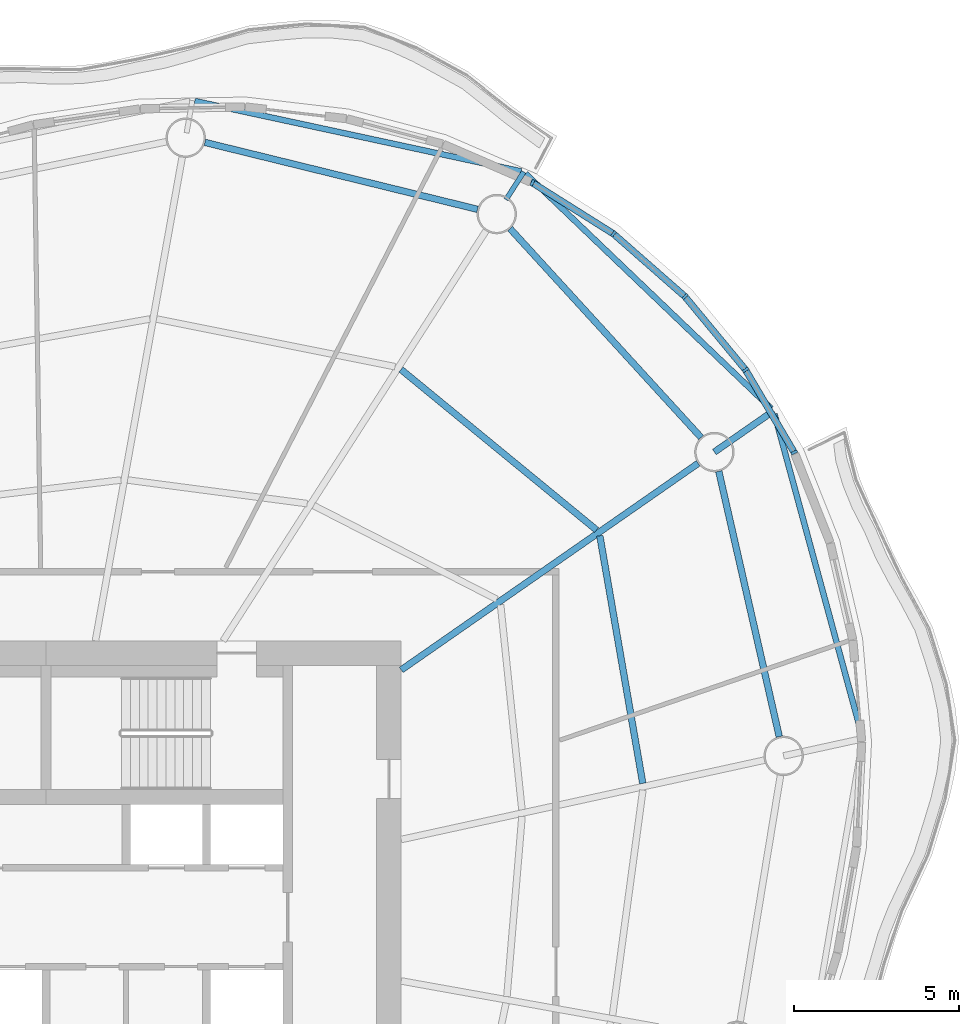
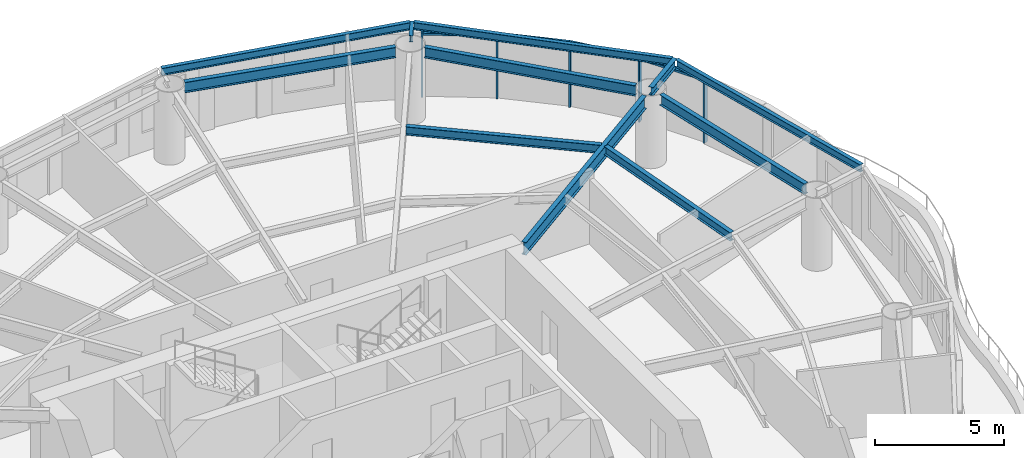
# One storey, part 6 of 14: 11 beams, 9 members, 4 elements without a shape of their own.
"""IFC4 building model written with IfcOpenShell, lengths in metres."""

from ifc_helpers import new_model, si_unit, direction, frame, origin, origin_2d, place, context, subcontext, project, spatial, rectangle, i_section, extrude, material, material_profile, profile_set, type_object, element, aggregate, save


model = new_model("IFC4")

# Units and contexts
model_context = context("Model", 3, precision=1e-05, world=origin(), true_north=direction((0.0, 1.0)))
body_context = subcontext(model_context, "Body", "Model", "MODEL_VIEW")
ifc_project = project(units=[si_unit("LENGTHUNIT", "METRE"), si_unit("AREAUNIT", "SQUARE_METRE"), si_unit("VOLUMEUNIT", "CUBIC_METRE"), si_unit("PLANEANGLEUNIT", "RADIAN"), si_unit("MASSUNIT", "GRAM", prefix="KILO")], contexts=[model_context])

# Site, building, storey
site_placement = place(None, origin())
site = spatial("IfcSite", under=ifc_project, at=site_placement, CompositionType="ELEMENT")
building_placement = place(site_placement, origin())
building = spatial("IfcBuilding", under=site, at=building_placement, Name="Vermilion Reach Broadcast Tower", CompositionType="ELEMENT")
storey_placement = place(building_placement, frame((0.0, 0.0, 210.10009765625)))
storey = spatial("IfcBuildingStorey", under=building, at=storey_placement, Name="L51", CompositionType="ELEMENT", Elevation=210.10009765625)

# Beams
ifc_material_1 = material(Name="Steel S355J2", Category="steel")
ifc_material_profile_1 = material_profile(ifc_material_1, i_section(OverallWidth=0.175048828125, OverallDepth=0.35009765625, WebThickness=0.007080078125, FlangeThickness=0.010986328125, at=origin_2d()), Name="S355J2 HN 350x175x7x11")
ifc_profile_set_1 = profile_set([ifc_material_profile_1], Name="Steel S355J2")
beam_type_1 = type_object("IfcBeamType", Name="EB4 HN 350x175x7x11", PredefinedType="BEAM", material=ifc_profile_set_1)
beam_1_placement = place(storey_placement, frame((8.446533203125, 22.667724609375, 3.27490234375), z_axis=(-0.977562731695, 0.210644500522, 0.0), x_axis=(-0.210644500522, -0.977562731695, 0.0)))
element("IfcBeam", 1, at=beam_1_placement, inside=storey, type_object=beam_type_1, Name="Edge beam EB4-01", PredefinedType="BEAM", context=body_context, shape_type="SweptSolid", body=[
    extrude(i_section(OverallWidth=0.175048828125, OverallDepth=0.35009765625, WebThickness=0.007080078125, FlangeThickness=0.010986328125, at=origin_2d()), origin(), (0.0, 0.0, 1.0), 10.1484375),
])
beam_2_placement = place(storey_placement, frame((18.8037109375, 5.524169921875, 3.27490234375), z_axis=(-0.262637589383, 0.964894552085, 0.0), x_axis=(-0.964894552085, -0.262637589383, 0.0)))
element("IfcBeam", 2, at=beam_2_placement, inside=storey, type_object=beam_type_1, Name="Edge beam EB4-15", PredefinedType="BEAM", context=body_context, shape_type="SweptSolid", body=[
    extrude(i_section(OverallWidth=0.175048828125, OverallDepth=0.35009765625, WebThickness=0.007080078125, FlangeThickness=0.010986328125, at=origin_2d()), origin(), (0.0, 0.0, 1.0), 10.118408203125),
])
beam_3_placement = place(storey_placement, frame((16.04443359375, 15.460205078125, 3.27490234375), z_axis=(-0.722744526792, 0.69111529356, 0.0), x_axis=(-0.69111529356, -0.722744526792, 0.0)))
element("IfcBeam", 3, at=beam_3_placement, inside=storey, type_object=beam_type_1, Name="Edge beam EB4-16", PredefinedType="BEAM", context=body_context, shape_type="SweptSolid", body=[
    extrude(i_section(OverallWidth=0.175048828125, OverallDepth=0.35009765625, WebThickness=0.007080078125, FlangeThickness=0.010986328125, at=origin_2d()), origin(), (0.0, 0.0, 1.0), 10.327880859375),
])
ifc_material_2 = material(Name="Steel S355J2", Category="steel")
ifc_material_profile_2 = material_profile(ifc_material_2, i_section(OverallWidth=0.199951171875, OverallDepth=0.60009765625, WebThickness=0.010986328125, FlangeThickness=0.01708984375, at=origin_2d()), Name="S355J2 HN 600x200x11x17")
ifc_profile_set_2 = profile_set([ifc_material_profile_2], Name="Steel S355J2")
beam_type_2 = type_object("IfcBeamType", Name="G4 HN 600x200x11x17", PredefinedType="BEAM", material=ifc_profile_set_2)
beam_4_placement = place(storey_placement, frame((4.800048828125, 7.5146484375, 3.14990234375), z_axis=(0.820848627818, 0.571145804684, 0.0), x_axis=(-0.571145804684, 0.820848627818, 0.0)))
element("IfcBeam", 4, at=beam_4_placement, inside=storey, type_object=beam_type_2, Name="Girder G4-16", PredefinedType="BEAM", context=body_context, shape_type="SweptSolid", body=[
    extrude(i_section(OverallWidth=0.199951171875, OverallDepth=0.60009765625, WebThickness=0.010986328125, FlangeThickness=0.01708984375, at=origin_2d()), origin(), (0.0, 0.0, 1.0), 10.99560546875),
])
ifc_material_3 = material(Name="Steel S355J2", Category="steel")
ifc_material_profile_3 = material_profile(ifc_material_3, i_section(OverallWidth=0.199951171875, OverallDepth=0.39990234375, WebThickness=0.008056640625, FlangeThickness=0.012939453125, at=origin_2d()), Name="S355J2 HN 400x200x8x13")
ifc_profile_set_3 = profile_set([ifc_material_profile_3], Name="Steel S355J2")
beam_type_3 = type_object("IfcBeamType", Name="GC4 HN 400x200x8x13", PredefinedType="BEAM", material=ifc_profile_set_3)
beam_5_placement = place(storey_placement, frame((14.318115234375, 14.13720703125, 3.25), z_axis=(0.820855276259, 0.571136249452, 0.0), x_axis=(-0.571136249452, 0.820855276259, 0.0)))
element("IfcBeam", 5, at=beam_5_placement, inside=storey, type_object=beam_type_3, Name="Cantilever girder GC4-16", PredefinedType="BEAM", context=body_context, shape_type="SweptSolid", body=[
    extrude(i_section(OverallWidth=0.199951171875, OverallDepth=0.39990234375, WebThickness=0.008056640625, FlangeThickness=0.012939453125, at=origin_2d()), origin(), (0.0, 0.0, 1.0), 2.19287109375),
])
ifc_material_4 = material(Name="Steel S355J2", Category="steel")
ifc_material_profile_4 = material_profile(ifc_material_4, i_section(OverallWidth=0.14990234375, OverallDepth=0.300048828125, WebThickness=0.006591796875, FlangeThickness=0.009033203125, at=origin_2d()), Name="S355J2 HN 300x150x6.5x9")
ifc_profile_set_4 = profile_set([ifc_material_profile_4], Name="Steel S355J2")
beam_type_4 = type_object("IfcBeamType", Name="GS4 HN 300x150x6.5x9", PredefinedType="BEAM", material=ifc_profile_set_4)
beam_6_placement = place(storey_placement, frame((7.985107421875, 21.80908203125, 3.2998046875), z_axis=(0.539794777091, 0.841796649213, 0.0), x_axis=(-0.841796649213, 0.539794777091, 0.0)))
element("IfcBeam", 6, at=beam_6_placement, inside=storey, type_object=beam_type_4, Name="Cantilever stub GS4-01", PredefinedType="BEAM", context=body_context, shape_type="SweptSolid", body=[
    extrude(i_section(OverallWidth=0.14990234375, OverallDepth=0.300048828125, WebThickness=0.006591796875, FlangeThickness=0.009033203125, at=origin_2d()), origin(), (0.0, 0.0, 1.0), 1.0),
])
ifc_material_5 = material(Name="Steel S355J2", Category="steel")
ifc_material_profile_5 = material_profile(ifc_material_5, i_section(OverallWidth=0.199951171875, OverallDepth=0.5, WebThickness=0.010009765625, FlangeThickness=0.01611328125, at=origin_2d()), Name="S355J2 HN 500x200x10x16")
ifc_profile_set_5 = profile_set([ifc_material_profile_5], Name="Steel S355J2")
beam_type_5 = type_object("IfcBeamType", Name="RB4 HN 500x200x10x16", PredefinedType="BEAM", material=ifc_profile_set_5)
beam_7_placement = place(storey_placement, frame((7.120849609375, 21.51318359375, 3.199951171875), z_axis=(-0.971158622271, 0.238434331398, 0.0), x_axis=(-0.238434331398, -0.971158622271, 0.0)))
element("IfcBeam", 7, at=beam_7_placement, inside=storey, type_object=beam_type_5, Name="Ring beam RB4-01", PredefinedType="BEAM", context=body_context, shape_type="SweptSolid", body=[
    extrude(i_section(OverallWidth=0.199951171875, OverallDepth=0.5, WebThickness=0.010009765625, FlangeThickness=0.01611328125, at=origin_2d()), origin(), (0.0, 0.0, 1.0), 8.534423828125),
])
beam_8_placement = place(storey_placement, frame((16.290283203125, 5.486572265625, 3.199951171875), z_axis=(-0.222283068275, 0.974982172944, 0.0), x_axis=(-0.974982172944, -0.222283068275, 0.0)))
element("IfcBeam", 8, at=beam_8_placement, inside=storey, type_object=beam_type_5, Name="Ring beam RB4-15", PredefinedType="BEAM", context=body_context, shape_type="SweptSolid", body=[
    extrude(i_section(OverallWidth=0.199951171875, OverallDepth=0.5, WebThickness=0.010009765625, FlangeThickness=0.01611328125, at=origin_2d()), origin(), (0.0, 0.0, 1.0), 8.272705078125),
])
beam_9_placement = place(storey_placement, frame((13.9130859375, 14.580078125, 3.199951171875), z_axis=(-0.674868141417, 0.737938338684, 0.0), x_axis=(-0.737938338684, -0.674868141417, 0.0)))
element("IfcBeam", 9, at=beam_9_placement, inside=storey, type_object=beam_type_5, Name="Ring beam RB4-16", PredefinedType="BEAM", context=body_context, shape_type="SweptSolid", body=[
    extrude(i_section(OverallWidth=0.199951171875, OverallDepth=0.5, WebThickness=0.010009765625, FlangeThickness=0.01611328125, at=origin_2d()), origin(), (0.0, 0.0, 1.0), 8.601318359375),
])
ifc_material_6 = material(Name="Steel S355J2", Category="steel")
ifc_material_profile_6 = material_profile(ifc_material_6, i_section(OverallWidth=0.199951171875, OverallDepth=0.39990234375, WebThickness=0.008056640625, FlangeThickness=0.012939453125, at=origin_2d()), Name="S355J2 HN 400x200x8x13")
ifc_profile_set_6 = profile_set([ifc_material_profile_6], Name="Steel S355J2")
beam_type_6 = type_object("IfcBeamType", Name="SB4 HN 400x200x8x13", PredefinedType="BEAM", material=ifc_profile_set_6)
beam_10_placement = place(storey_placement, frame((12.141357421875, 4.067626953125, 3.25), z_axis=(-0.170926997669, 0.985283695931, 0.0), x_axis=(-0.985283695931, -0.170926997669, 0.0)))
element("IfcBeam", 10, at=beam_10_placement, inside=storey, type_object=beam_type_6, Name="Secondary beam SB4-15-2", PredefinedType="BEAM", context=body_context, shape_type="SweptSolid", body=[
    extrude(i_section(OverallWidth=0.199951171875, OverallDepth=0.39990234375, WebThickness=0.008056640625, FlangeThickness=0.012939453125, at=origin_2d()), origin(), (0.0, 0.0, 1.0), 7.63720703125),
])
beam_11_placement = place(storey_placement, frame((10.73681640625, 11.76708984375, 3.25), z_axis=(-0.772952000494, 0.6344645025, 0.0), x_axis=(-0.6344645025, -0.772952000494, 0.0)))
element("IfcBeam", 11, at=beam_11_placement, inside=storey, type_object=beam_type_6, Name="Secondary beam SB4-16-2", PredefinedType="BEAM", context=body_context, shape_type="SweptSolid", body=[
    extrude(i_section(OverallWidth=0.199951171875, OverallDepth=0.39990234375, WebThickness=0.008056640625, FlangeThickness=0.012939453125, at=origin_2d()), origin(), (0.0, 0.0, 1.0), 7.689697265625),
])

# Curtain wall, member
ifc_material_7 = material(Name="Low-e laminated clear glass in aluminium frame", Category="aluminium")
curtain_wall_type = type_object("IfcCurtainWallType", Name="Slot curtain wall", PredefinedType="NOTDEFINED", material=ifc_material_7)
placement = place(storey_placement, origin())
curtain_wall_1 = element("IfcCurtainWall", 12, at=placement, inside=storey, type_object=curtain_wall_type, Name="Slot curtain wall L51 46", PredefinedType="NOTDEFINED")
ifc_material_8 = material(Name="Anodised aluminium", Category="aluminium")
ifc_material_profile_7 = material_profile(ifc_material_8, rectangle(XDim=0.199951171875, YDim=0.080078125, at=origin_2d()), Name="Slot mullion 80 x 200")
ifc_profile_set_7 = profile_set([ifc_material_profile_7], Name="Anodised aluminium")
member_type_1 = type_object("IfcMemberType", Name="Slot mullion 80 x 200", PredefinedType="MULLION", material=ifc_profile_set_7)
member_1_placement = place(storey_placement, frame((16.745361328125, 14.124755859375, 0.0), z_axis=(0.0, 0.0, 1.0), x_axis=(-0.898130837264, -0.43972832426, 0.0)))
member_1 = element("IfcMember", 13, at=member_1_placement, type_object=member_type_1, Name="Slot mullion L51 46", PredefinedType="MULLION", context=body_context, shape_type="SweptSolid", body=[
    extrude(rectangle(XDim=0.199951171875, YDim=0.080078125, at=origin_2d()), origin(), (0.0, 0.0, 1.0), 3.0498046875),
])

curtain_wall_2 = element("IfcCurtainWall", 14, at=placement, inside=storey, type_object=curtain_wall_type, Name="Slot curtain wall L51 47", PredefinedType="NOTDEFINED")
member_2_placement = place(storey_placement, frame((15.265380859375, 16.635498046875, 0.0), z_axis=(0.0, 0.0, 1.0), x_axis=(-0.818640084495, -0.574306897101, 0.0)))
member_2 = element("IfcMember", 15, at=member_2_placement, type_object=member_type_1, Name="Slot mullion L51 47", PredefinedType="MULLION", context=body_context, shape_type="SweptSolid", body=[
    extrude(rectangle(XDim=0.199951171875, YDim=0.080078125, at=origin_2d()), origin(), (0.0, 0.0, 1.0), 3.0498046875),
])

curtain_wall_3 = element("IfcCurtainWall", 16, at=placement, inside=storey, type_object=curtain_wall_type, Name="Slot curtain wall L51 00", PredefinedType="NOTDEFINED")
member_3_placement = place(storey_placement, frame((13.423828125, 18.862548828125, 0.0), z_axis=(0.0, 0.0, 1.0), x_axis=(-0.717397160457, -0.696664420054, 0.0)))
member_3 = element("IfcMember", 17, at=member_3_placement, type_object=member_type_1, Name="Slot mullion L51 00", PredefinedType="MULLION", context=body_context, shape_type="SweptSolid", body=[
    extrude(rectangle(XDim=0.199951171875, YDim=0.080078125, at=origin_2d()), origin(), (0.0, 0.0, 1.0), 3.0498046875),
])

# Curtain wall, members
curtain_wall_4 = element("IfcCurtainWall", 18, at=placement, inside=storey, type_object=curtain_wall_type, Name="Slot curtain wall L51 01", PredefinedType="NOTDEFINED")
member_4_placement = place(storey_placement, frame((11.251953125, 20.7685546875, 0.0), z_axis=(0.0, 0.0, 1.0), x_axis=(-0.598060336589, -0.801451080104, 0.0)))
member_4 = element("IfcMember", 19, at=member_4_placement, type_object=member_type_1, Name="Slot mullion L51 01", PredefinedType="MULLION", context=body_context, shape_type="SweptSolid", body=[
    extrude(rectangle(XDim=0.199951171875, YDim=0.080078125, at=origin_2d()), origin(), (0.0, 0.0, 1.0), 3.0498046875),
])
member_5_placement = place(storey_placement, frame((8.785400390625, 22.3212890625, 0.0), z_axis=(0.0, 0.0, 1.0), x_axis=(-0.465870138705, -0.884853102985, 0.0)))
member_5 = element("IfcMember", 20, at=member_5_placement, type_object=member_type_1, Name="Slot mullion L51 02", PredefinedType="MULLION", context=body_context, shape_type="SweptSolid", body=[
    extrude(rectangle(XDim=0.199951171875, YDim=0.080078125, at=origin_2d()), origin(), (0.0, 0.0, 1.0), 3.0498046875),
])

# Member
ifc_material_9 = material(Name="Anodised aluminium", Category="aluminium")
ifc_material_profile_8 = material_profile(ifc_material_9, rectangle(XDim=0.199951171875, YDim=0.10009765625, at=origin_2d()), Name="Slot transom 200 x 100")
ifc_profile_set_8 = profile_set([ifc_material_profile_8], Name="Anodised aluminium")
member_type_2 = type_object("IfcMemberType", Name="Slot transom 200 x 100", PredefinedType="USERDEFINED", material=ifc_profile_set_8)
member_6_placement = place(storey_placement, frame((16.724853515625, 14.1591796875, 3.0), z_axis=(-0.507753955186, 0.86150213058, 0.0), x_axis=(-0.86150213058, -0.507753955186, 0.0)))
member_6 = element("IfcMember", 21, at=member_6_placement, type_object=member_type_2, Name="Slot transom L51 46.1", ObjectType="TRANSOM", PredefinedType="USERDEFINED", context=body_context, shape_type="SweptSolid", body=[
    extrude(rectangle(XDim=0.199951171875, YDim=0.10009765625, at=origin_2d()), origin(), (0.0, 0.0, 1.0), 2.83447265625),
])

aggregate(curtain_wall_1, [member_1, member_6])

member_7_placement = place(storey_placement, frame((15.23974609375, 16.66650390625, 3.0), z_axis=(-0.637213743412, 0.770687125367, 0.0), x_axis=(-0.770687125367, -0.637213743412, 0.0)))
member_7 = element("IfcMember", 22, at=member_7_placement, type_object=member_type_2, Name="Slot transom L51 47.1", ObjectType="TRANSOM", PredefinedType="USERDEFINED", context=body_context, shape_type="SweptSolid", body=[
    extrude(rectangle(XDim=0.199951171875, YDim=0.10009765625, at=origin_2d()), origin(), (0.0, 0.0, 1.0), 2.8095703125),
])

aggregate(curtain_wall_2, [member_2, member_7])

member_8_placement = place(storey_placement, frame((13.393798828125, 18.888916015625, 3.0), z_axis=(-0.751617776712, 0.659598906708, 0.0), x_axis=(-0.659598906708, -0.751617776712, 0.0)))
member_8 = element("IfcMember", 23, at=member_8_placement, type_object=member_type_2, Name="Slot transom L51 00.1", ObjectType="TRANSOM", PredefinedType="USERDEFINED", context=body_context, shape_type="SweptSolid", body=[
    extrude(rectangle(XDim=0.199951171875, YDim=0.10009765625, at=origin_2d()), origin(), (0.0, 0.0, 1.0), 2.809814453125),
])

aggregate(curtain_wall_3, [member_3, member_8])

member_9_placement = place(storey_placement, frame((11.218017578125, 20.789794921875, 3.0), z_axis=(-0.846237155073, 0.532806416416, 0.0), x_axis=(-0.532806416416, -0.846237155073, 0.0)))
member_9 = element("IfcMember", 24, at=member_9_placement, type_object=member_type_2, Name="Slot transom L51 01.1", ObjectType="TRANSOM", PredefinedType="USERDEFINED", context=body_context, shape_type="SweptSolid", body=[
    extrude(rectangle(XDim=0.199951171875, YDim=0.10009765625, at=origin_2d()), origin(), (0.0, 0.0, 1.0), 2.83447265625),
])

aggregate(curtain_wall_4, [member_4, member_5, member_9])

save(model, "model.ifc")
